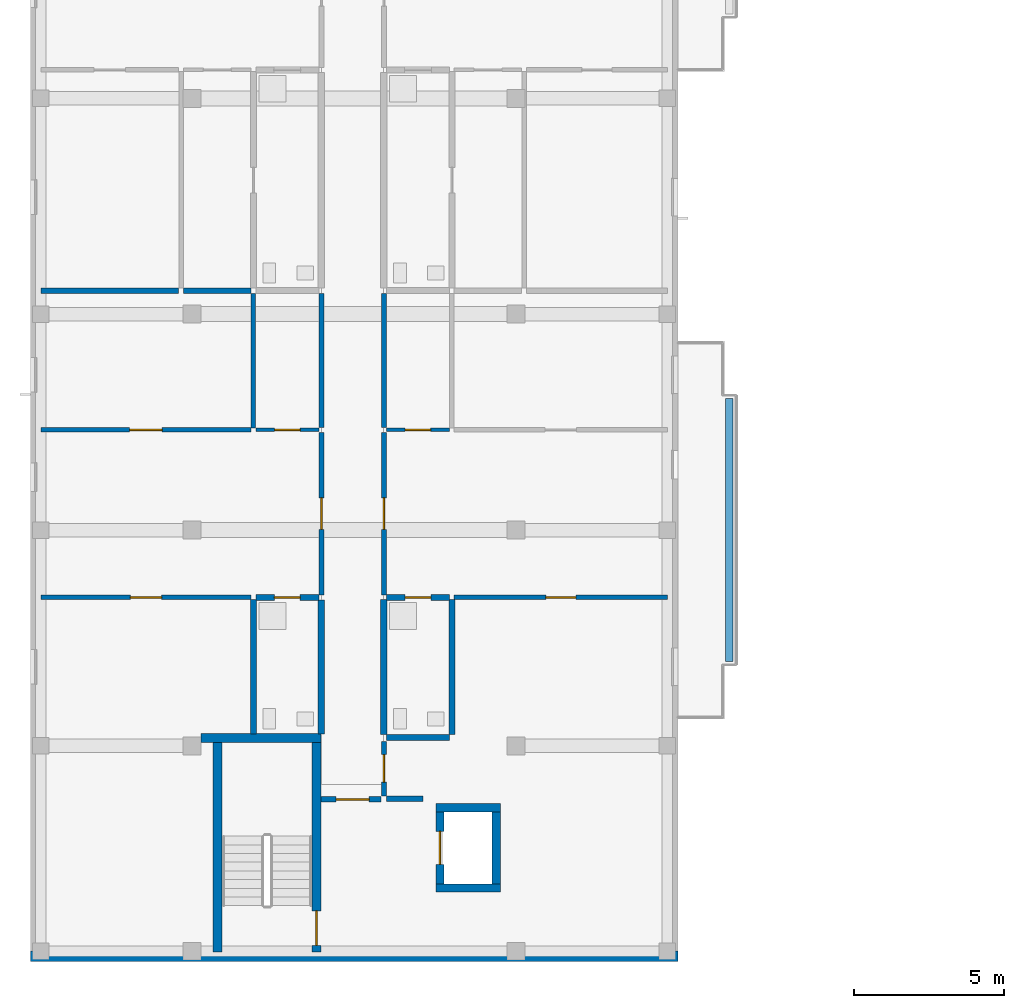
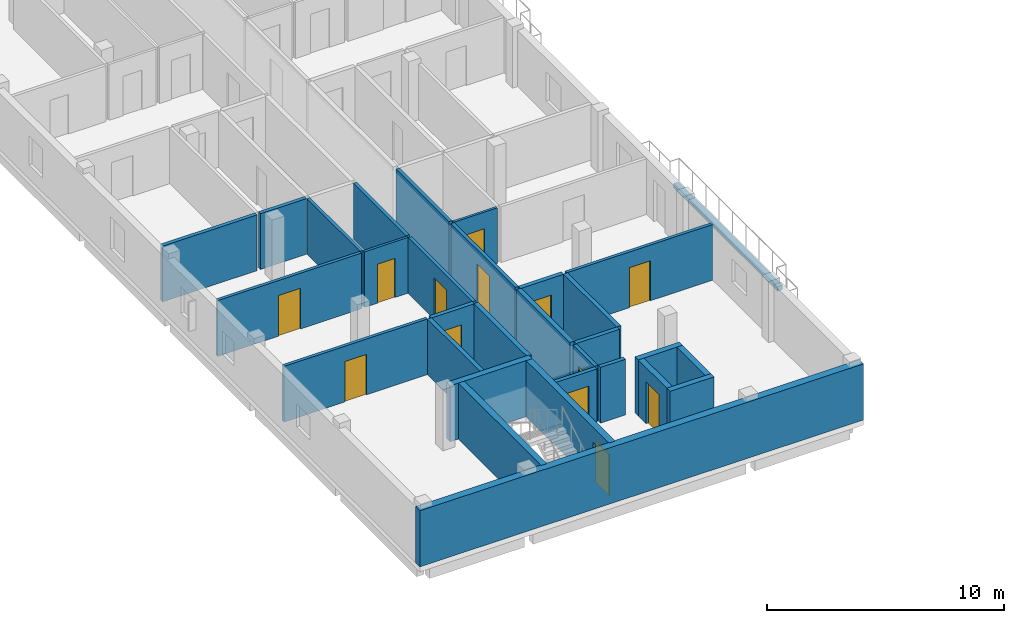
# One storey, part 13 of 41: 31 walls, 13 doors, 13 openings.
"""IFC4 building model written with IfcOpenShell, lengths in metres."""

from ifc_helpers import new_model, si_unit, derived_unit, direction, frame, frame_2d, origin, place, context, subcontext, project, spatial, rectangle, extrude, material, layer, layer_set, type_object, element, fill, save


model = new_model("IFC4")

# Units and contexts
model_context = context("Model", 3, precision=1e-05, world=origin(), true_north=direction((0.0, 1.0)))
body_context = subcontext(model_context, "Body", "Model", "MODEL_VIEW")
ifc_project = project(units=[si_unit("LENGTHUNIT", "METRE"), si_unit("AREAUNIT", "SQUARE_METRE"), si_unit("VOLUMEUNIT", "CUBIC_METRE"), si_unit("PLANEANGLEUNIT", "RADIAN"), si_unit("MASSUNIT", "GRAM", prefix="KILO"), derived_unit("THERMALTRANSMITTANCEUNIT", [(si_unit("MASSUNIT", "GRAM", prefix="KILO"), 1), (si_unit("TIMEUNIT", "SECOND"), -3), (si_unit("THERMODYNAMICTEMPERATUREUNIT", "KELVIN"), -1)])], contexts=[model_context])

# Site, building, storey
site_placement = place(None, origin())
site = spatial("IfcSite", under=ifc_project, at=site_placement, CompositionType="ELEMENT")
building_placement = place(site_placement, origin())
building = spatial("IfcBuilding", under=site, at=building_placement, Name="Ochrekiln Boulevard Commons", CompositionType="ELEMENT")
storey_placement = place(building_placement, frame((0.0, 0.0, 21.52490234375)))
storey = spatial("IfcBuildingStorey", under=building, at=storey_placement, Name="L06", CompositionType="ELEMENT", Elevation=21.52490234375)

# Walls
ifc_material_1 = material(Name="Iron-spot brown clinker brick masonry ASTM C216 Grade SW", Category="masonry")
ifc_layer_1 = layer(ifc_material_1, 0.364990234375)
ifc_layer_set_1 = layer_set([ifc_layer_1], Name="Iron-spot brown clinker brick masonry ASTM C216 Grade SW")
wall_type_1 = type_object("IfcWallType", Name="WL-EXT-IRON-365", PredefinedType="SOLIDWALL", material=ifc_layer_set_1)
wall_1_placement = place(storey_placement, frame((0.0, 0.1826171875, 0.0), z_axis=(0.0, 0.0, 1.0), x_axis=(1.0, 0.0, 0.0)))
element("IfcWall", 1, at=wall_1_placement, inside=storey, type_object=wall_type_1, Name="Block D L06 S Exterior Wall", PredefinedType="SOLIDWALL", context=body_context, shape_type="SweptSolid", body=[
    extrude(rectangle(XDim=21.60009765625, YDim=0.364990234375, at=frame_2d((10.800048828125, 0.0))), origin(), (0.0, 0.0, 1.0), 2.89013671875),
])
ifc_material_2 = material(Name="Moisture-resistant cementitious tile backer wall")
ifc_layer_2 = layer(ifc_material_2, 0.199951171875)
ifc_layer_set_2 = layer_set([ifc_layer_2], Name="Moisture-resistant cementitious tile backer wall")
wall_type_2 = type_object("IfcWallType", Name="WL-PLM-200", PredefinedType="PLUMBINGWALL", material=ifc_layer_set_2)
wall_2_placement = place(storey_placement, frame((11.8720703125, 7.47509765625, 0.0), z_axis=(0.0, 0.0, 1.0), x_axis=(1.0, 0.0, 0.0)))
element("IfcWall", 2, at=wall_2_placement, inside=storey, type_object=wall_type_2, Name="L06 Interior Wall W-PW200", PredefinedType="PLUMBINGWALL", context=body_context, shape_type="SweptSolid", body=[
    extrude(rectangle(XDim=2.10791015625, YDim=0.199951171875, at=frame_2d((1.053955078125, 0.0))), origin(), (0.0, 0.0, 1.0), 2.8701171875),
])

# Wall, opening, door
wall_3_placement = place(storey_placement, frame((7.52001953125, 12.155029296875, 0.0), z_axis=(0.0, 0.0, 1.0), x_axis=(1.0, 0.0, 0.0)))
wall_3 = element("IfcWall", 3, at=wall_3_placement, inside=storey, type_object=wall_type_2, Name="L06 Interior Wall W-PW200", PredefinedType="PLUMBINGWALL", context=body_context, shape_type="SweptSolid", body=[
    extrude(rectangle(XDim=2.10791015625, YDim=0.199951171875, at=frame_2d((1.053955078125, 0.0))), origin(), (0.0, 0.0, 1.0), 2.8701171875),
])
opening_1_placement = place(wall_3_placement, frame((0.6201171875, 0.0, 0.0)))
opening_1 = element("IfcOpeningElement", 4, at=opening_1_placement, cuts=wall_3, Name="Opening D-L06-874", PredefinedType="OPENING", context=body_context, shape_type="SweptSolid", body=[
    extrude(rectangle(XDim=0.860107421875, YDim=2.0, at=frame_2d((0.43017578125, 1.0))), frame((0.0, 0.10986328125, 0.0), z_axis=(0.0, -1.0, 0.0), x_axis=(1.0, 0.0, 0.0)), (0.0, 0.0, 1.0), 0.219970703125),
])
ifc_material_3 = material(Name="Solid core architectural oak door leaf")
door_type_1 = type_object("IfcDoorType", Name="DR-INT-BTH-086", OperationType="NOTDEFINED", PredefinedType="DOOR", material=ifc_material_3)
door_1_placement = place(opening_1_placement, frame((0.860107421875, 0.0, 0.0), z_axis=(0.0, 0.0, 1.0), x_axis=(-1.0, 0.0, 0.0)))
door_1 = element("IfcDoor", 5, at=door_1_placement, inside=storey, type_object=door_type_1, Name="L06 Interior Door to Accessible Apartment Bathroom", OperationType="SINGLE_SWING_RIGHT", OverallHeight=2.0, OverallWidth=0.860107421875, PredefinedType="DOOR", context=body_context, shape_type="SweptSolid", body=[
    extrude(rectangle(XDim=0.860107421875, YDim=2.0, at=frame_2d((0.43017578125, 1.0))), frame((0.0, 0.02490234375, 0.0), z_axis=(0.0, -1.0, 0.0), x_axis=(1.0, 0.0, 0.0)), (0.0, 0.0, 1.0), 0.050048828125),
])
fill(opening_1, door_1)

# Wall
wall_4_placement = place(storey_placement, frame((7.43994140625, 7.60009765625, 0.0), z_axis=(0.0, 0.0, 1.0), x_axis=(0.0, 1.0, 0.0)))
element("IfcWall", 6, at=wall_4_placement, inside=storey, type_object=wall_type_2, Name="L06 Interior Wall W-PW200", PredefinedType="PLUMBINGWALL", context=body_context, shape_type="SweptSolid", body=[
    extrude(rectangle(XDim=4.47998046875, YDim=0.199951171875, at=frame_2d((2.239990234375, 0.0))), origin(), (0.0, 0.0, 1.0), 2.8701171875),
])

# Wall, opening, door
wall_5_placement = place(storey_placement, frame((11.8720703125, 12.155029296875, 0.0), z_axis=(0.0, 0.0, 1.0), x_axis=(1.0, 0.0, 0.0)))
wall_5 = element("IfcWall", 7, at=wall_5_placement, inside=storey, type_object=wall_type_2, Name="L06 Interior Wall W-PW200", PredefinedType="PLUMBINGWALL", context=body_context, shape_type="SweptSolid", body=[
    extrude(rectangle(XDim=2.10791015625, YDim=0.199951171875, at=frame_2d((1.053955078125, 0.0))), origin(), (0.0, 0.0, 1.0), 2.8701171875),
])
opening_2_placement = place(wall_5_placement, frame((0.6279296875, 0.0, 0.0)))
opening_2 = element("IfcOpeningElement", 8, at=opening_2_placement, cuts=wall_5, Name="Opening D-L06-885", PredefinedType="OPENING", context=body_context, shape_type="SweptSolid", body=[
    extrude(rectangle(XDim=0.860107421875, YDim=2.0, at=frame_2d((0.43017578125, 1.0))), frame((0.0, 0.10986328125, 0.0), z_axis=(0.0, -1.0, 0.0), x_axis=(1.0, 0.0, 0.0)), (0.0, 0.0, 1.0), 0.219970703125),
])
door_2_placement = place(opening_2_placement, frame((0.860107421875, 0.0, 0.0), z_axis=(0.0, 0.0, 1.0), x_axis=(-1.0, 0.0, 0.0)))
door_2 = element("IfcDoor", 9, at=door_2_placement, inside=storey, type_object=door_type_1, Name="L06 Interior Door to Apartment Bathroom", OperationType="SINGLE_SWING_LEFT", OverallHeight=2.0, OverallWidth=0.860107421875, PredefinedType="DOOR", context=body_context, shape_type="SweptSolid", body=[
    extrude(rectangle(XDim=0.860107421875, YDim=2.0, at=frame_2d((0.43017578125, 1.0))), frame((0.0, 0.02490234375, 0.0), z_axis=(0.0, -1.0, 0.0), x_axis=(1.0, 0.0, 0.0)), (0.0, 0.0, 1.0), 0.050048828125),
])
fill(opening_2, door_2)

# Walls
wall_6_placement = place(storey_placement, frame((14.06005859375, 7.574951171875, 0.0), z_axis=(0.0, 0.0, 1.0), x_axis=(0.0, 1.0, 0.0)))
element("IfcWall", 10, at=wall_6_placement, inside=storey, type_object=wall_type_2, Name="L06 Interior Wall W-PW200", PredefinedType="PLUMBINGWALL", context=body_context, shape_type="SweptSolid", body=[
    extrude(rectangle(XDim=4.505126953125, YDim=0.199951171875, at=frame_2d((2.25244140625, 0.0))), origin(), (0.0, 0.0, 1.0), 2.8701171875),
])
ifc_layer_3 = layer(ifc_material_2, 0.219970703125)
ifc_layer_set_3 = layer_set([ifc_layer_3], Name="Moisture-resistant cementitious tile backer wall")
wall_type_3 = type_object("IfcWallType", Name="WL-PLM-220", PredefinedType="PLUMBINGWALL", material=ifc_layer_set_3)
wall_7_placement = place(storey_placement, frame((9.7099609375, 7.60009765625, 0.0), z_axis=(0.0, 0.0, 1.0), x_axis=(0.0, 1.0, 0.0)))
element("IfcWall", 11, at=wall_7_placement, inside=storey, type_object=wall_type_3, Name="L06 Interior Wall W-PW220", PredefinedType="PLUMBINGWALL", context=body_context, shape_type="SweptSolid", body=[
    extrude(rectangle(XDim=4.474853515625, YDim=0.219970703125, at=frame_2d((2.2373046875, 0.0))), origin(), (0.0, 0.0, 1.0), 2.8701171875),
])
wall_8_placement = place(storey_placement, frame((11.7900390625, 7.574951171875, 0.0), z_axis=(0.0, 0.0, 1.0), x_axis=(0.0, 1.0, 0.0)))
element("IfcWall", 12, at=wall_8_placement, inside=storey, type_object=wall_type_3, Name="L06 Interior Wall W-PW220", PredefinedType="PLUMBINGWALL", context=body_context, shape_type="SweptSolid", body=[
    extrude(rectangle(XDim=4.5, YDim=0.219970703125, at=frame_2d((2.25, 0.0))), origin(), (0.0, 0.0, 1.0), 2.8701171875),
])
ifc_material_4 = material(Name="Glazed architectural terracotta ASTM C1405", Category="masonry")
ifc_layer_4 = layer(ifc_material_4, 0.25)
ifc_layer_set_4 = layer_set([ifc_layer_4], Name="Glazed architectural terracotta ASTM C1405")
wall_type_4 = type_object("IfcWallType", Name="WL-PLN-250", PredefinedType="PARAPET", material=ifc_layer_set_4)
wall_9_placement = place(storey_placement, frame((23.320068359375, 10.010009765625, 0.0), z_axis=(0.0, 0.0, 1.0), x_axis=(0.0, 1.0, 0.0)))
element("IfcWall", 13, at=wall_9_placement, inside=storey, type_object=wall_type_4, Name="Block D L06 Balcony Terracotta Planter Box 1", PredefinedType="PARAPET", context=body_context, shape_type="SweptSolid", body=[
    extrude(rectangle(XDim=8.780029296875, YDim=0.25, at=frame_2d((4.39013671875, 0.0))), origin(), (0.0, 0.0, 1.0), 0.22998046875),
])

# Wall, opening, door
ifc_material_5 = material(Name="Fire-rated Type X gypsum board on steel studs", Category="steel")
ifc_layer_5 = layer(ifc_material_5, 0.1650390625)
ifc_layer_set_5 = layer_set([ifc_layer_5], Name="Fire-rated Type X gypsum board on steel studs")
wall_type_5 = type_object("IfcWallType", Name="WL-PT-CORR-165", PredefinedType="PARTITIONING", material=ifc_layer_set_5)
wall_10_placement = place(storey_placement, frame((11.7900390625, 5.530029296875, 0.0), z_axis=(0.0, 0.0, 1.0), x_axis=(0.0, 1.0, 0.0)))
wall_10 = element("IfcWall", 14, at=wall_10_placement, inside=storey, type_object=wall_type_5, Name="L06 Interior Wall W-PC165", PredefinedType="PARTITIONING", context=body_context, shape_type="SweptSolid", body=[
    extrude(rectangle(XDim=1.820068359375, YDim=0.1650390625, at=frame_2d((0.91015625, 0.0))), origin(), (0.0, 0.0, 1.0), 2.8701171875),
])
opening_3_placement = place(wall_10_placement, frame((0.4599609375, 0.0, 0.0)))
opening_3 = element("IfcOpeningElement", 15, at=opening_3_placement, cuts=wall_10, Name="Opening D-L06-869", PredefinedType="OPENING", context=body_context, shape_type="SweptSolid", body=[
    extrude(rectangle(XDim=0.919921875, YDim=2.0400390625, at=frame_2d((0.4599609375, 1.02001953125))), frame((0.0, 0.092529296875, 0.0), z_axis=(0.0, -1.0, 0.0), x_axis=(1.0, 0.0, 0.0)), (0.0, 0.0, 1.0), 0.18505859375),
])
ifc_material_6 = material(Name="Hollow metal fire-rated steel door assembly", Category="steel")
door_type_2 = type_object("IfcDoorType", Name="DR-SRV-90", OperationType="NOTDEFINED", PredefinedType="DOOR", material=ifc_material_6)
door_3_placement = place(opening_3_placement, frame((0.919921875, 0.0, 0.0), z_axis=(0.0, 0.0, 1.0), x_axis=(-1.0, 0.0, 0.0)))
door_3 = element("IfcDoor", 16, at=door_3_placement, inside=storey, type_object=door_type_2, Name="L06 Interior Door to Hydronic and Electrical Riser Room", OperationType="SINGLE_SWING_LEFT", OverallHeight=2.0400390625, OverallWidth=0.919921875, PredefinedType="DOOR", context=body_context, shape_type="SweptSolid", body=[
    extrude(rectangle(XDim=0.919921875, YDim=2.0400390625, at=frame_2d((0.4599609375, 1.02001953125))), frame((0.0, 0.02490234375, 0.0), z_axis=(0.0, -1.0, 0.0), x_axis=(1.0, 0.0, 0.0)), (0.0, 0.0, 1.0), 0.050048828125),
])
fill(opening_3, door_3)

wall_11_placement = place(storey_placement, frame((9.7099609375, 12.235107421875, 0.0), z_axis=(0.0, 0.0, 1.0), x_axis=(0.0, 1.0, 0.0)))
wall_11 = element("IfcWall", 17, at=wall_11_placement, inside=storey, type_object=wall_type_5, Name="L06 Interior Wall W-PC165", PredefinedType="PARTITIONING", context=body_context, shape_type="SweptSolid", body=[
    extrude(rectangle(XDim=5.423828125, YDim=0.1650390625, at=frame_2d((2.7119140625, 0.0))), origin(), (0.0, 0.0, 1.0), 2.8701171875),
])
opening_4_placement = place(wall_11_placement, frame((2.18701171875, 0.0, 0.0)))
opening_4 = element("IfcOpeningElement", 18, at=opening_4_placement, cuts=wall_11, Name="Opening D-L06-870", PredefinedType="OPENING", context=body_context, shape_type="SweptSolid", body=[
    extrude(rectangle(XDim=1.050048828125, YDim=2.1298828125, at=frame_2d((0.52490234375, 1.06494140625))), frame((0.0, 0.092529296875, 0.0), z_axis=(0.0, -1.0, 0.0), x_axis=(1.0, 0.0, 0.0)), (0.0, 0.0, 1.0), 0.18505859375),
])
door_type_3 = type_object("IfcDoorType", Name="DR-INT-APT-105", OperationType="NOTDEFINED", PredefinedType="DOOR", material=ifc_material_3)
door_4_placement = place(opening_4_placement, origin())
door_4 = element("IfcDoor", 19, at=door_4_placement, inside=storey, type_object=door_type_3, Name="L06 Interior Door to Two-Bedroom Apartment Living Room", OperationType="SINGLE_SWING_RIGHT", OverallHeight=2.1298828125, OverallWidth=1.050048828125, PredefinedType="DOOR", context=body_context, shape_type="SweptSolid", body=[
    extrude(rectangle(XDim=1.050048828125, YDim=2.1298828125, at=frame_2d((0.52490234375, 1.06494140625))), frame((0.0, 0.02490234375, 0.0), z_axis=(0.0, -1.0, 0.0), x_axis=(1.0, 0.0, 0.0)), (0.0, 0.0, 1.0), 0.050048828125),
])
fill(opening_4, door_4)

# Wall
wall_12_placement = place(storey_placement, frame((9.7099609375, 17.819091796875, 0.0), z_axis=(0.0, 0.0, 1.0), x_axis=(0.0, 1.0, 0.0)))
element("IfcWall", 20, at=wall_12_placement, inside=storey, type_object=wall_type_5, Name="L06 Interior Wall W-PC165", PredefinedType="PARTITIONING", context=body_context, shape_type="SweptSolid", body=[
    extrude(rectangle(XDim=4.474853515625, YDim=0.1650390625, at=frame_2d((2.2373046875, 0.0))), origin(), (0.0, 0.0, 1.0), 2.8701171875),
])

# Wall, opening, door
wall_13_placement = place(storey_placement, frame((11.7900390625, 12.235107421875, 0.0), z_axis=(0.0, 0.0, 1.0), x_axis=(0.0, 1.0, 0.0)))
wall_13 = element("IfcWall", 21, at=wall_13_placement, inside=storey, type_object=wall_type_5, Name="L06 Interior Wall W-PC165", PredefinedType="PARTITIONING", context=body_context, shape_type="SweptSolid", body=[
    extrude(rectangle(XDim=5.423828125, YDim=0.1650390625, at=frame_2d((2.7119140625, 0.0))), origin(), (0.0, 0.0, 1.0), 2.8701171875),
])
opening_5_placement = place(wall_13_placement, frame((2.18701171875, 0.0, 0.0)))
opening_5 = element("IfcOpeningElement", 22, at=opening_5_placement, cuts=wall_13, Name="Opening D-L06-872", PredefinedType="OPENING", context=body_context, shape_type="SweptSolid", body=[
    extrude(rectangle(XDim=1.050048828125, YDim=2.1298828125, at=frame_2d((0.52490234375, 1.06494140625))), frame((0.0, 0.092529296875, 0.0), z_axis=(0.0, -1.0, 0.0), x_axis=(1.0, 0.0, 0.0)), (0.0, 0.0, 1.0), 0.18505859375),
])
door_5_placement = place(opening_5_placement, frame((1.050048828125, 0.0, 0.0), z_axis=(0.0, 0.0, 1.0), x_axis=(-1.0, 0.0, 0.0)))
door_5 = element("IfcDoor", 23, at=door_5_placement, inside=storey, type_object=door_type_3, Name="L06 Interior Door to Two-Bedroom Apartment Living Room", OperationType="SINGLE_SWING_RIGHT", OverallHeight=2.1298828125, OverallWidth=1.050048828125, PredefinedType="DOOR", context=body_context, shape_type="SweptSolid", body=[
    extrude(rectangle(XDim=1.050048828125, YDim=2.1298828125, at=frame_2d((0.52490234375, 1.06494140625))), frame((0.0, 0.02490234375, 0.0), z_axis=(0.0, -1.0, 0.0), x_axis=(1.0, 0.0, 0.0)), (0.0, 0.0, 1.0), 0.050048828125),
])
fill(opening_5, door_5)

# Walls
wall_14_placement = place(storey_placement, frame((11.7900390625, 17.819091796875, 0.0), z_axis=(0.0, 0.0, 1.0), x_axis=(0.0, 1.0, 0.0)))
element("IfcWall", 24, at=wall_14_placement, inside=storey, type_object=wall_type_5, Name="L06 Interior Wall W-PC165", PredefinedType="PARTITIONING", context=body_context, shape_type="SweptSolid", body=[
    extrude(rectangle(XDim=4.474853515625, YDim=0.1650390625, at=frame_2d((2.2373046875, 0.0))), origin(), (0.0, 0.0, 1.0), 2.8701171875),
])
ifc_layer_6 = layer(ifc_material_5, 0.179931640625)
ifc_layer_set_6 = layer_set([ifc_layer_6], Name="Fire-rated Type X gypsum board on steel studs")
wall_type_6 = type_object("IfcWallType", Name="WL-PT-DEM-180", PredefinedType="PARTITIONING", material=ifc_layer_set_6)
wall_15_placement = place(storey_placement, frame((0.35009765625, 22.384033203125, 0.0), z_axis=(0.0, 0.0, 1.0), x_axis=(1.0, 0.0, 0.0)))
element("IfcWall", 25, at=wall_15_placement, inside=storey, type_object=wall_type_6, Name="L06 Interior Wall W-PD180", PredefinedType="PARTITIONING", context=body_context, shape_type="SweptSolid", body=[
    extrude(rectangle(XDim=4.599853515625, YDim=0.179931640625, at=frame_2d((2.2998046875, 0.0))), origin(), (0.0, 0.0, 1.0), 2.8701171875),
])
wall_16_placement = place(storey_placement, frame((5.110107421875, 22.384033203125, 0.0), z_axis=(0.0, 0.0, 1.0), x_axis=(1.0, 0.0, 0.0)))
element("IfcWall", 26, at=wall_16_placement, inside=storey, type_object=wall_type_6, Name="L06 Interior Wall W-PD180", PredefinedType="PARTITIONING", context=body_context, shape_type="SweptSolid", body=[
    extrude(rectangle(XDim=2.25, YDim=0.179931640625, at=frame_2d((1.125, 0.0))), origin(), (0.0, 0.0, 1.0), 2.8701171875),
])
ifc_layer_7 = layer(ifc_material_5, 0.18994140625)
ifc_layer_set_7 = layer_set([ifc_layer_7], Name="Fire-rated Type X gypsum board on steel studs")
wall_type_7 = type_object("IfcWallType", Name="WL-PT-LBY-190", PredefinedType="PARTITIONING", material=ifc_layer_set_7)
wall_17_placement = place(storey_placement, frame((11.8798828125, 5.43505859375, 0.0), z_axis=(0.0, 0.0, 1.0), x_axis=(1.0, 0.0, 0.0)))
element("IfcWall", 27, at=wall_17_placement, inside=storey, type_object=wall_type_7, Name="L06 Interior Wall W-PL190", PredefinedType="PARTITIONING", context=body_context, shape_type="SweptSolid", body=[
    extrude(rectangle(XDim=1.22021484375, YDim=0.18994140625, at=frame_2d((0.610107421875, 0.0))), origin(), (0.0, 0.0, 1.0), 2.8701171875),
])

# Wall, opening, door
wall_18_placement = place(storey_placement, frame((9.699951171875, 5.419921875, 0.0), z_axis=(0.0, 0.0, 1.0), x_axis=(1.0, 0.0, 0.0)))
wall_18 = element("IfcWall", 28, at=wall_18_placement, inside=storey, type_object=wall_type_7, Name="L06 Interior Wall W-PL190", PredefinedType="PARTITIONING", context=body_context, shape_type="SweptSolid", body=[
    extrude(rectangle(XDim=2.0, YDim=0.18994140625, at=frame_2d((1.0, 0.0))), origin(), (0.0, 0.0, 1.0), 2.8701171875),
])
opening_6_placement = place(wall_18_placement, frame((0.5, 0.0, 0.0)))
opening_6 = element("IfcOpeningElement", 29, at=opening_6_placement, cuts=wall_18, Name="Opening D-L06-867", PredefinedType="OPENING", context=body_context, shape_type="SweptSolid", body=[
    extrude(rectangle(XDim=1.10009765625, YDim=2.1201171875, at=frame_2d((0.550048828125, 1.06005859375))), frame((0.0, 0.10498046875, 0.0), z_axis=(0.0, -1.0, 0.0), x_axis=(1.0, 0.0, 0.0)), (0.0, 0.0, 1.0), 0.2099609375),
])
door_type_4 = type_object("IfcDoorType", Name="DR-LOBBY-60", OperationType="NOTDEFINED", PredefinedType="DOOR", material=ifc_material_6)
door_6_placement = place(opening_6_placement, frame((1.10009765625, 0.0, 0.0), z_axis=(0.0, 0.0, 1.0), x_axis=(-1.0, 0.0, 0.0)))
door_6 = element("IfcDoor", 30, at=door_6_placement, inside=storey, type_object=door_type_4, Name="L06 Interior Door to Passenger Elevator Lobby", OperationType="SINGLE_SWING_LEFT", OverallHeight=2.1201171875, OverallWidth=1.10009765625, PredefinedType="DOOR", context=body_context, shape_type="SweptSolid", body=[
    extrude(rectangle(XDim=1.10009765625, YDim=2.1201171875, at=frame_2d((0.550048828125, 1.06005859375))), frame((0.0, 0.02490234375, 0.0), z_axis=(0.0, -1.0, 0.0), x_axis=(1.0, 0.0, 0.0)), (0.0, 0.0, 1.0), 0.050048828125),
])
fill(opening_6, door_6)

ifc_layer_8 = layer(ifc_material_5, 0.1201171875)
ifc_layer_set_8 = layer_set([ifc_layer_8], Name="Fire-rated Type X gypsum board on steel studs")
wall_type_8 = type_object("IfcWallType", Name="WL-PT-LGT-120", PredefinedType="PARTITIONING", material=ifc_layer_set_8)
wall_19_placement = place(storey_placement, frame((7.52001953125, 17.739013671875, 0.0), z_axis=(0.0, 0.0, 1.0), x_axis=(1.0, 0.0, 0.0)))
wall_19 = element("IfcWall", 31, at=wall_19_placement, inside=storey, type_object=wall_type_8, Name="L06 Interior Wall W-PL120", PredefinedType="PARTITIONING", context=body_context, shape_type="SweptSolid", body=[
    extrude(rectangle(XDim=2.10791015625, YDim=0.1201171875, at=frame_2d((1.053955078125, 0.0))), origin(), (0.0, 0.0, 1.0), 2.8701171875),
])
opening_7_placement = place(wall_19_placement, frame((0.625, 0.0, 0.0)))
opening_7 = element("IfcOpeningElement", 32, at=opening_7_placement, cuts=wall_19, Name="Opening D-L06-875", PredefinedType="OPENING", context=body_context, shape_type="SweptSolid", body=[
    extrude(rectangle(XDim=0.85009765625, YDim=2.010009765625, at=frame_2d((0.425048828125, 1.0048828125))), frame((0.0, 0.070068359375, 0.0), z_axis=(0.0, -1.0, 0.0), x_axis=(1.0, 0.0, 0.0)), (0.0, 0.0, 1.0), 0.14013671875),
])
door_type_5 = type_object("IfcDoorType", Name="DR-INT-KIT-085", OperationType="NOTDEFINED", PredefinedType="DOOR", material=ifc_material_3)
door_7_placement = place(opening_7_placement, origin())
door_7 = element("IfcDoor", 33, at=door_7_placement, inside=storey, type_object=door_type_5, Name="L06 Interior Door to Apartment Kitchen", OperationType="SINGLE_SWING_LEFT", OverallHeight=2.010009765625, OverallWidth=0.85009765625, PredefinedType="DOOR", context=body_context, shape_type="SweptSolid", body=[
    extrude(rectangle(XDim=0.85009765625, YDim=2.010009765625, at=frame_2d((0.425048828125, 1.0048828125))), frame((0.0, 0.02490234375, 0.0), z_axis=(0.0, -1.0, 0.0), x_axis=(1.0, 0.0, 0.0)), (0.0, 0.0, 1.0), 0.050048828125),
])
fill(opening_7, door_7)

wall_20_placement = place(storey_placement, frame((11.8720703125, 17.739013671875, 0.0), z_axis=(0.0, 0.0, 1.0), x_axis=(1.0, 0.0, 0.0)))
wall_20 = element("IfcWall", 34, at=wall_20_placement, inside=storey, type_object=wall_type_8, Name="L06 Interior Wall W-PL120", PredefinedType="PARTITIONING", context=body_context, shape_type="SweptSolid", body=[
    extrude(rectangle(XDim=2.10791015625, YDim=0.1201171875, at=frame_2d((1.053955078125, 0.0))), origin(), (0.0, 0.0, 1.0), 2.8701171875),
])
opening_8_placement = place(wall_20_placement, frame((0.633056640625, 0.0, 0.0)))
opening_8 = element("IfcOpeningElement", 35, at=opening_8_placement, cuts=wall_20, Name="Opening D-L06-886", PredefinedType="OPENING", context=body_context, shape_type="SweptSolid", body=[
    extrude(rectangle(XDim=0.85009765625, YDim=2.010009765625, at=frame_2d((0.425048828125, 1.0048828125))), frame((0.0, 0.070068359375, 0.0), z_axis=(0.0, -1.0, 0.0), x_axis=(1.0, 0.0, 0.0)), (0.0, 0.0, 1.0), 0.14013671875),
])
door_8_placement = place(opening_8_placement, origin())
door_8 = element("IfcDoor", 36, at=door_8_placement, inside=storey, type_object=door_type_5, Name="L06 Interior Door to Apartment Kitchen", OperationType="SINGLE_SWING_RIGHT", OverallHeight=2.010009765625, OverallWidth=0.85009765625, PredefinedType="DOOR", context=body_context, shape_type="SweptSolid", body=[
    extrude(rectangle(XDim=0.85009765625, YDim=2.010009765625, at=frame_2d((0.425048828125, 1.0048828125))), frame((0.0, 0.02490234375, 0.0), z_axis=(0.0, -1.0, 0.0), x_axis=(1.0, 0.0, 0.0)), (0.0, 0.0, 1.0), 0.050048828125),
])
fill(opening_8, door_8)

ifc_layer_9 = layer(ifc_material_5, 0.14990234375)
ifc_layer_set_9 = layer_set([ifc_layer_9], Name="Fire-rated Type X gypsum board on steel studs")
wall_type_9 = type_object("IfcWallType", Name="WL-PT-STD-150", PredefinedType="PARTITIONING", material=ifc_layer_set_9)
wall_21_placement = place(storey_placement, frame((0.35009765625, 12.155029296875, 0.0), z_axis=(0.0, 0.0, 1.0), x_axis=(1.0, 0.0, 0.0)))
wall_21 = element("IfcWall", 37, at=wall_21_placement, inside=storey, type_object=wall_type_9, Name="L06 Interior Wall W-PS150", PredefinedType="PARTITIONING", context=body_context, shape_type="SweptSolid", body=[
    extrude(rectangle(XDim=7.010009765625, YDim=0.14990234375, at=frame_2d((3.5048828125, 0.0))), origin(), (0.0, 0.0, 1.0), 2.8701171875),
])
opening_9_placement = place(wall_21_placement, frame((2.985107421875, 0.0, 0.0)))
opening_9 = element("IfcOpeningElement", 38, at=opening_9_placement, cuts=wall_21, Name="Opening D-L06-876", PredefinedType="OPENING", context=body_context, shape_type="SweptSolid", body=[
    extrude(rectangle(XDim=1.0400390625, YDim=2.080078125, at=frame_2d((0.52001953125, 1.0400390625))), frame((0.0, 0.0849609375, 0.0), z_axis=(0.0, -1.0, 0.0), x_axis=(1.0, 0.0, 0.0)), (0.0, 0.0, 1.0), 0.169921875),
])
door_type_6 = type_object("IfcDoorType", Name="DR-INT-BED-104", OperationType="NOTDEFINED", PredefinedType="DOOR", material=ifc_material_3)
door_9_placement = place(opening_9_placement, frame((1.0400390625, 0.0, 0.0), z_axis=(0.0, 0.0, 1.0), x_axis=(-1.0, 0.0, 0.0)))
door_9 = element("IfcDoor", 39, at=door_9_placement, inside=storey, type_object=door_type_6, Name="L06 Interior Door to Primary Apartment Bedroom", OperationType="SINGLE_SWING_RIGHT", OverallHeight=2.080078125, OverallWidth=1.0400390625, PredefinedType="DOOR", context=body_context, shape_type="SweptSolid", body=[
    extrude(rectangle(XDim=1.0400390625, YDim=2.080078125, at=frame_2d((0.52001953125, 1.0400390625))), frame((0.0, 0.02490234375, 0.0), z_axis=(0.0, -1.0, 0.0), x_axis=(1.0, 0.0, 0.0)), (0.0, 0.0, 1.0), 0.050048828125),
])
fill(opening_9, door_9)

wall_22_placement = place(storey_placement, frame((0.35009765625, 17.739013671875, 0.0), z_axis=(0.0, 0.0, 1.0), x_axis=(1.0, 0.0, 0.0)))
wall_22 = element("IfcWall", 40, at=wall_22_placement, inside=storey, type_object=wall_type_9, Name="L06 Interior Wall W-PS150", PredefinedType="PARTITIONING", context=body_context, shape_type="SweptSolid", body=[
    extrude(rectangle(XDim=7.010009765625, YDim=0.14990234375, at=frame_2d((3.5048828125, 0.0))), origin(), (0.0, 0.0, 1.0), 2.8701171875),
])
opening_10_placement = place(wall_22_placement, frame((2.965087890625, 0.0, 0.0)))
opening_10 = element("IfcOpeningElement", 41, at=opening_10_placement, cuts=wall_22, Name="Opening D-L06-877", PredefinedType="OPENING", context=body_context, shape_type="SweptSolid", body=[
    extrude(rectangle(XDim=1.080078125, YDim=2.10009765625, at=frame_2d((0.5400390625, 1.050048828125))), frame((0.0, 0.0849609375, 0.0), z_axis=(0.0, -1.0, 0.0), x_axis=(1.0, 0.0, 0.0)), (0.0, 0.0, 1.0), 0.169921875),
])
door_type_7 = type_object("IfcDoorType", Name="DR-INT-BED-108", OperationType="NOTDEFINED", PredefinedType="DOOR", material=ifc_material_3)
door_10_placement = place(opening_10_placement, origin())
door_10 = element("IfcDoor", 42, at=door_10_placement, inside=storey, type_object=door_type_7, Name="L06 Interior Door to Secondary Apartment Bedroom", OperationType="SINGLE_SWING_LEFT", OverallHeight=2.10009765625, OverallWidth=1.080078125, PredefinedType="DOOR", context=body_context, shape_type="SweptSolid", body=[
    extrude(rectangle(XDim=1.080078125, YDim=2.10009765625, at=frame_2d((0.5400390625, 1.050048828125))), frame((0.0, 0.02490234375, 0.0), z_axis=(0.0, -1.0, 0.0), x_axis=(1.0, 0.0, 0.0)), (0.0, 0.0, 1.0), 0.050048828125),
])
fill(opening_10, door_10)

# Wall
wall_23_placement = place(storey_placement, frame((7.43994140625, 17.799072265625, 0.0), z_axis=(0.0, 0.0, 1.0), x_axis=(0.0, 1.0, 0.0)))
element("IfcWall", 43, at=wall_23_placement, inside=storey, type_object=wall_type_9, Name="L06 Interior Wall W-PS150", PredefinedType="PARTITIONING", context=body_context, shape_type="SweptSolid", body=[
    extrude(rectangle(XDim=4.494873046875, YDim=0.14990234375, at=frame_2d((2.24755859375, 0.0))), origin(), (0.0, 0.0, 1.0), 2.8701171875),
])

# Wall, opening, door
wall_24_placement = place(storey_placement, frame((14.139892578125, 12.155029296875, 0.0), z_axis=(0.0, 0.0, 1.0), x_axis=(1.0, 0.0, 0.0)))
wall_24 = element("IfcWall", 44, at=wall_24_placement, inside=storey, type_object=wall_type_9, Name="L06 Interior Wall W-PS150", PredefinedType="PARTITIONING", context=body_context, shape_type="SweptSolid", body=[
    extrude(rectangle(XDim=7.110107421875, YDim=0.14990234375, at=frame_2d((3.55517578125, 0.0))), origin(), (0.0, 0.0, 1.0), 2.8701171875),
])
opening_11_placement = place(wall_24_placement, frame((3.054931640625, 0.0, 0.0)))
opening_11 = element("IfcOpeningElement", 45, at=opening_11_placement, cuts=wall_24, Name="Opening D-L06-887", PredefinedType="OPENING", context=body_context, shape_type="SweptSolid", body=[
    extrude(rectangle(XDim=1.0, YDim=2.06005859375, at=frame_2d((0.5, 1.030029296875))), frame((0.0, 0.0849609375, 0.0), z_axis=(0.0, -1.0, 0.0), x_axis=(1.0, 0.0, 0.0)), (0.0, 0.0, 1.0), 0.169921875),
])
door_type_8 = type_object("IfcDoorType", Name="DR-INT-BED-100", OperationType="NOTDEFINED", PredefinedType="DOOR", material=ifc_material_3)
door_11_placement = place(opening_11_placement, frame((1.0, 0.0, 0.0), z_axis=(0.0, 0.0, 1.0), x_axis=(-1.0, 0.0, 0.0)))
door_11 = element("IfcDoor", 46, at=door_11_placement, inside=storey, type_object=door_type_8, Name="L06 Interior Door to Primary Apartment Bedroom", OperationType="SINGLE_SWING_LEFT", OverallHeight=2.06005859375, OverallWidth=1.0, PredefinedType="DOOR", context=body_context, shape_type="SweptSolid", body=[
    extrude(rectangle(XDim=1.0, YDim=2.06005859375, at=frame_2d((0.5, 1.030029296875))), frame((0.0, 0.02490234375, 0.0), z_axis=(0.0, -1.0, 0.0), x_axis=(1.0, 0.0, 0.0)), (0.0, 0.0, 1.0), 0.050048828125),
])
fill(opening_11, door_11)

# Walls
ifc_material_7 = material(Name="Concrete C40/50", Category="concrete")
ifc_layer_10 = layer(ifc_material_7, 0.27490234375)
ifc_layer_set_10 = layer_set([ifc_layer_10], Name="Concrete C40/50")
wall_type_10 = type_object("IfcWallType", Name="WL-SH-275", PredefinedType="SHEAR", material=ifc_layer_set_10)
for number, where, z_axis, x_axis, name in (
    (47, (13.52490234375, 2.46240234375, 0.0), (0.0, 0.0, 1.0), (1.0, 0.0, 0.0), "Elevator LP-D1 L06 Hoistway Shear Wall"),
    (48, (13.52490234375, 5.137451171875, 0.0), (0.0, 0.0, 1.0), (1.0, 0.0, 0.0), "Elevator LP-D1 L06 Hoistway Shear Wall"),
):
    element("IfcWall", number, at=place(storey_placement, frame(where, z_axis=z_axis, x_axis=x_axis)), inside=storey, type_object=wall_type_10, Name=name, PredefinedType="SHEAR", context=body_context, shape_type="SweptSolid", body=[
        extrude(rectangle(XDim=2.150146484375, YDim=0.27490234375, at=frame_2d((1.0751953125, 0.0))), origin(), (0.0, 0.0, 1.0), 2.89013671875),
    ])

# Wall, opening, door
wall_25_placement = place(storey_placement, frame((13.66259765625, 2.60009765625, 0.0), z_axis=(0.0, 0.0, 1.0), x_axis=(0.0, 1.0, 0.0)))
wall_25 = element("IfcWall", 49, at=wall_25_placement, inside=storey, type_object=wall_type_10, Name="Elevator LP-D1 L06 Hoistway Shear Wall", PredefinedType="SHEAR", context=body_context, shape_type="SweptSolid", body=[
    extrude(rectangle(XDim=2.39990234375, YDim=0.27490234375, at=frame_2d((1.199951171875, 0.0))), origin(), (0.0, 0.0, 1.0), 2.89013671875),
])
opening_12_placement = place(wall_25_placement, frame((0.64990234375, 0.0, 0.0)))
opening_12 = element("IfcOpeningElement", 50, at=opening_12_placement, cuts=wall_25, Name="Opening LD-LP-D1-L06", PredefinedType="OPENING", context=body_context, shape_type="SweptSolid", body=[
    extrude(rectangle(XDim=1.10009765625, YDim=2.14990234375, at=frame_2d((0.550048828125, 1.074951171875))), frame((0.0, 0.1474609375, 0.0), z_axis=(0.0, -1.0, 0.0), x_axis=(1.0, 0.0, 0.0)), (0.0, 0.0, 1.0), 0.294921875),
])
ifc_material_8 = material(Name="Brushed stainless steel 316 elevator cab and doors", Category="steel")
door_type_9 = type_object("IfcDoorType", Name="DR-LIFT-LD90", OperationType="SLIDING_TO_LEFT", PredefinedType="DOOR", material=ifc_material_8)
door_12_placement = place(opening_12_placement, origin())
door_12 = element("IfcDoor", 51, at=door_12_placement, inside=storey, type_object=door_type_9, Name="Elevator LP-D1 L06 Sliding Landing Door LD-LP-D1-L06", OperationType="SLIDING_TO_LEFT", OverallHeight=2.14990234375, OverallWidth=1.10009765625, PredefinedType="DOOR", context=body_context, shape_type="SweptSolid", body=[
    extrude(rectangle(XDim=1.10009765625, YDim=2.14990234375, at=frame_2d((0.550048828125, 1.074951171875))), frame((0.0, 0.02490234375, 0.0), z_axis=(0.0, -1.0, 0.0), x_axis=(1.0, 0.0, 0.0)), (0.0, 0.0, 1.0), 0.050048828125),
])
fill(opening_12, door_12)

# Walls
wall_26_placement = place(storey_placement, frame((15.53759765625, 2.60009765625, 0.0), z_axis=(0.0, 0.0, 1.0), x_axis=(0.0, 1.0, 0.0)))
element("IfcWall", 52, at=wall_26_placement, inside=storey, type_object=wall_type_10, Name="Elevator LP-D1 L06 Hoistway Shear Wall", PredefinedType="SHEAR", context=body_context, shape_type="SweptSolid", body=[
    extrude(rectangle(XDim=2.39990234375, YDim=0.27490234375, at=frame_2d((1.199951171875, 0.0))), origin(), (0.0, 0.0, 1.0), 2.89013671875),
])
ifc_layer_11 = layer(ifc_material_7, 0.300048828125)
ifc_layer_set_11 = layer_set([ifc_layer_11], Name="Concrete C40/50")
wall_type_11 = type_object("IfcWallType", Name="WL-SH-300", PredefinedType="SHEAR", material=ifc_layer_set_11)
wall_27_placement = place(storey_placement, frame((5.699951171875, 7.469970703125, 0.0), z_axis=(0.0, 0.0, 1.0), x_axis=(1.0, 0.0, 0.0)))
element("IfcWall", 53, at=wall_27_placement, inside=storey, type_object=wall_type_11, Name="Stair ST-D1 L06 Core Shear Wall N", PredefinedType="SHEAR", context=body_context, shape_type="SweptSolid", body=[
    extrude(rectangle(XDim=4.0, YDim=0.300048828125, at=frame_2d((2.0, 0.0))), origin(), (0.0, 0.0, 1.0), 2.89013671875),
])
wall_28_placement = place(storey_placement, frame((6.25, 0.320068359375, 0.0), z_axis=(0.0, 0.0, 1.0), x_axis=(0.0, 1.0, 0.0)))
element("IfcWall", 54, at=wall_28_placement, inside=storey, type_object=wall_type_11, Name="Stair ST-D1 L06 Core Shear Wall W", PredefinedType="SHEAR", context=body_context, shape_type="SweptSolid", body=[
    extrude(rectangle(XDim=7.0, YDim=0.300048828125, at=frame_2d((3.5, 0.0))), origin(), (0.0, 0.0, 1.0), 2.89013671875),
])

# Wall, opening, door
wall_29_placement = place(storey_placement, frame((9.550048828125, 0.320068359375, 0.0), z_axis=(0.0, 0.0, 1.0), x_axis=(0.0, 1.0, 0.0)))
wall_29 = element("IfcWall", 55, at=wall_29_placement, inside=storey, type_object=wall_type_11, Name="Stair ST-D1 L06 Core Shear Wall E", PredefinedType="SHEAR", context=body_context, shape_type="SweptSolid", body=[
    extrude(rectangle(XDim=7.0, YDim=0.300048828125, at=frame_2d((3.5, 0.0))), origin(), (0.0, 0.0, 1.0), 2.89013671875),
])
opening_13_placement = place(wall_29_placement, frame((0.22509765625, 0.0, 0.0)))
opening_13 = element("IfcOpeningElement", 56, at=opening_13_placement, cuts=wall_29, Name="Opening D-L06-ST-D1", PredefinedType="OPENING", context=body_context, shape_type="SweptSolid", body=[
    extrude(rectangle(XDim=1.14990234375, YDim=2.1201171875, at=frame_2d((0.574951171875, 1.06005859375))), frame((0.0, 0.159912109375, 0.0), z_axis=(0.0, -1.0, 0.0), x_axis=(1.0, 0.0, 0.0)), (0.0, 0.0, 1.0), 0.320068359375),
])
door_type_10 = type_object("IfcDoorType", Name="DR-STAIR-90", OperationType="NOTDEFINED", PredefinedType="DOOR", material=ifc_material_6)
door_13_placement = place(opening_13_placement, origin())
door_13 = element("IfcDoor", 57, at=door_13_placement, inside=storey, type_object=door_type_10, Name="Enclosed Exit Stair ST-D1 L06 Rated Door", OperationType="SINGLE_SWING_RIGHT", OverallHeight=2.1201171875, OverallWidth=1.14990234375, PredefinedType="DOOR", context=body_context, shape_type="SweptSolid", body=[
    extrude(rectangle(XDim=1.14990234375, YDim=2.1201171875, at=frame_2d((0.574951171875, 1.06005859375))), frame((0.0, 0.02490234375, 0.0), z_axis=(0.0, -1.0, 0.0), x_axis=(1.0, 0.0, 0.0)), (0.0, 0.0, 1.0), 0.050048828125),
])
fill(opening_13, door_13)

save(model, "model.ifc")
